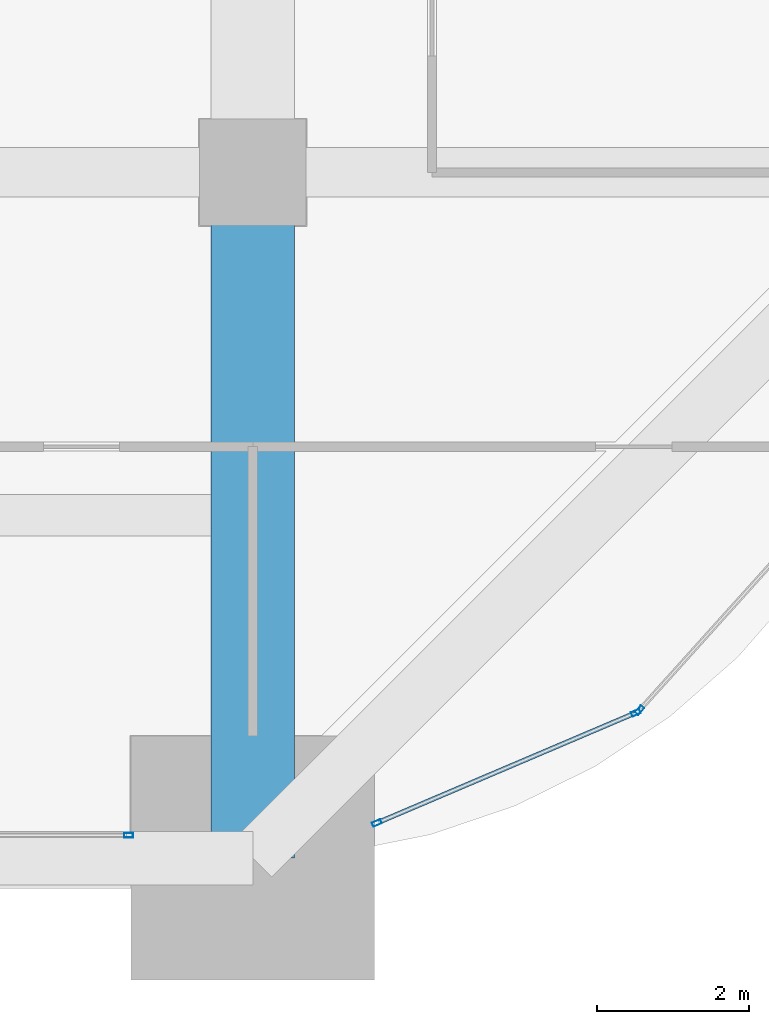
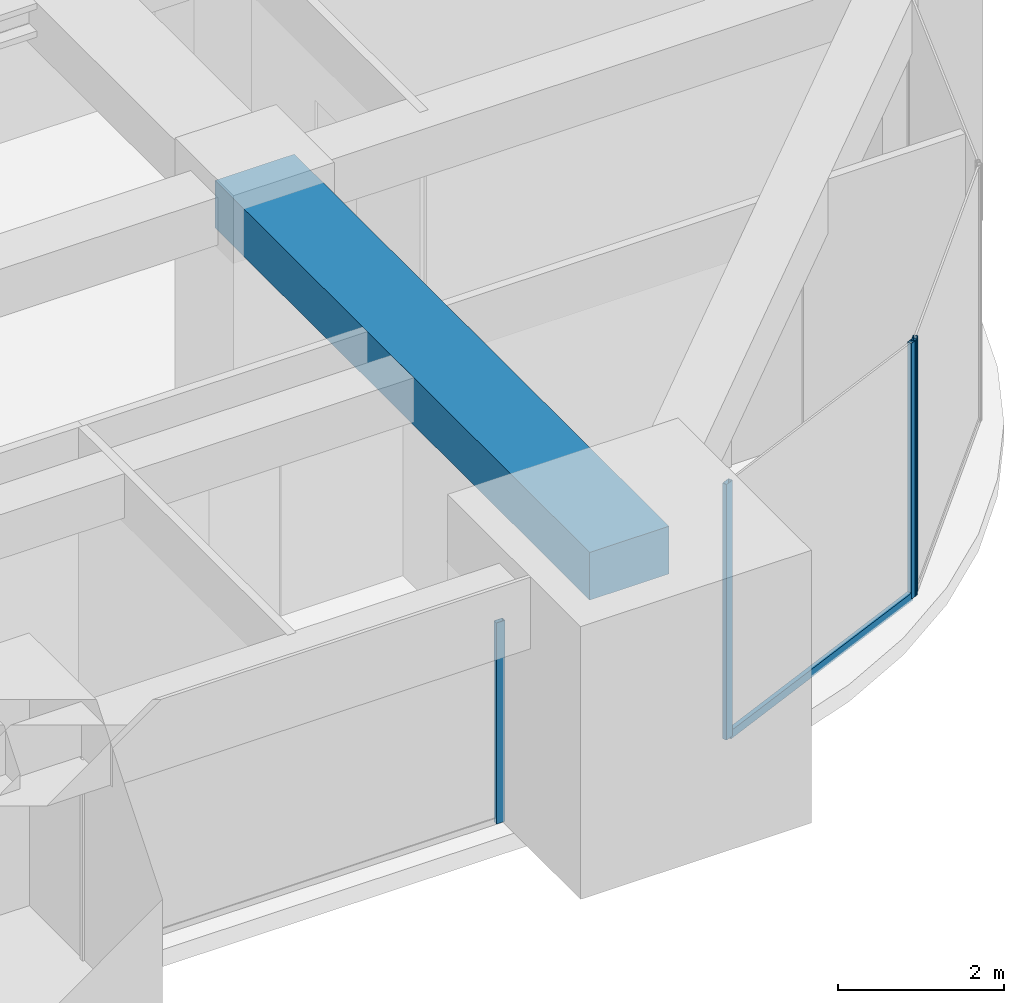
# One storey, part 17 of 43: 5 members, 1 beam, 3 elements without a shape of their own.
"""IFC4 building model written with IfcOpenShell, lengths in metres."""

from ifc_helpers import new_model, si_unit, direction, frame, origin, origin_2d, place, context, subcontext, project, spatial, rectangle, hollow_rectangle, extrude, material, material_profile, profile_set, type_object, element, aggregate, save


model = new_model("IFC4")

# Units and contexts
model_context = context("Model", 3, precision=1e-05, world=origin(), true_north=direction((0.0, 1.0)))
body_context = subcontext(model_context, "Body", "Model", "MODEL_VIEW")
ifc_project = project(units=[si_unit("LENGTHUNIT", "METRE"), si_unit("AREAUNIT", "SQUARE_METRE"), si_unit("VOLUMEUNIT", "CUBIC_METRE"), si_unit("PLANEANGLEUNIT", "RADIAN"), si_unit("MASSUNIT", "GRAM", prefix="KILO")], contexts=[model_context])

# Site, building, storey
site_placement = place(None, origin())
site = spatial("IfcSite", under=ifc_project, at=site_placement, CompositionType="ELEMENT")
building_placement = place(site_placement, origin())
building = spatial("IfcBuilding", under=site, at=building_placement, Name="Zorevar Civic Tower", CompositionType="ELEMENT")
storey_placement = place(building_placement, frame((0.0, 0.0, 243.39990234375)))
storey = spatial("IfcBuildingStorey", under=building, at=storey_placement, Name="L59", CompositionType="ELEMENT", Elevation=243.39990234375)

# Beam
ifc_material_1 = material(Name="Concrete C50/60", Category="concrete")
ifc_material_profile_1 = material_profile(ifc_material_1, rectangle(XDim=1.10009765625, YDim=0.699951171875, at=origin_2d()), Name="RC 1100x700")
ifc_profile_set_1 = profile_set([ifc_material_profile_1], Name="Concrete C50/60")
beam_type = type_object("IfcBeamType", Name="Beam RC 1100x700", PredefinedType="BEAM", material=ifc_profile_set_1)
beam_placement = place(storey_placement, frame((45.0, 0.0, 3.400146484375), z_axis=(0.0, 1.0, 0.0), x_axis=(-1.0, 0.0, 0.0)))
element("IfcBeam", 1, at=beam_placement, inside=storey, type_object=beam_type, Name="Girder L60", PredefinedType="BEAM", context=body_context, shape_type="SweptSolid", body=[
    extrude(rectangle(XDim=1.10009765625, YDim=0.699951171875, at=origin_2d()), origin(), (0.0, 0.0, 1.0), 9.0),
])

# Curtain wall, member
ifc_material_2 = material(Name="Dark grey solar-control glass in black aluminium frame", Category="aluminium")
curtain_wall_type = type_object("IfcCurtainWallType", Name="Curtain wall CW5 top zone", PredefinedType="NOTDEFINED", material=ifc_material_2)
curtain_wall_1_placement = place(storey_placement, origin())
curtain_wall_1 = element("IfcCurtainWall", 2, at=curtain_wall_1_placement, inside=storey, type_object=curtain_wall_type, Name="CW5 L59", PredefinedType="NOTDEFINED")
ifc_material_3 = material(Name="Aluminium, black anodised", Category="aluminium")
ifc_material_profile_2 = material_profile(ifc_material_3, hollow_rectangle(XDim=0.06005859375, YDim=0.1201171875, WallThickness=0.0029296875, at=origin_2d()), Name="AL 120x60x3")
ifc_profile_set_2 = profile_set([ifc_material_profile_2], Name="Aluminium, black anodised")
member_type_1 = type_object("IfcMemberType", Name="CW5 mullion AL 120x60x3", PredefinedType="MULLION", material=ifc_profile_set_2)
member_1_placement = place(storey_placement, frame((43.3701171875, 0.300048828125, 0.0), z_axis=(0.0, 0.0, 1.0), x_axis=(0.0, 1.0, 0.0)))
member_1 = element("IfcMember", 3, at=member_1_placement, type_object=member_type_1, Name="CW5 mullion 2", PredefinedType="MULLION", context=body_context, shape_type="SweptSolid", body=[
    extrude(hollow_rectangle(XDim=0.06005859375, YDim=0.1201171875, WallThickness=0.0029296875, at=origin_2d()), origin(), (0.0, 0.0, 1.0), 2.9501953125),
])
aggregate(curtain_wall_1, [member_1])

# Curtain wall, members
curtain_wall_2_placement = place(storey_placement, origin())
curtain_wall_2 = element("IfcCurtainWall", 4, at=curtain_wall_2_placement, inside=storey, type_object=curtain_wall_type, Name="CW5 L59", PredefinedType="NOTDEFINED")
member_2_placement = place(storey_placement, frame((46.627685546875, 0.460205078125, 0.0), z_axis=(0.0, 0.0, 1.0), x_axis=(-0.391720259226, 0.920084364889, 0.0)))
member_2 = element("IfcMember", 5, at=member_2_placement, type_object=member_type_1, Name="CW5 mullion 1", PredefinedType="MULLION", context=body_context, shape_type="SweptSolid", body=[
    extrude(hollow_rectangle(XDim=0.06005859375, YDim=0.1201171875, WallThickness=0.0029296875, at=origin_2d()), origin(), (0.0, 0.0, 1.0), 3.75),
])
member_3_placement = place(storey_placement, frame((50.02783203125, 1.90771484375, 0.0), z_axis=(0.0, 0.0, 1.0), x_axis=(-0.391720259226, 0.920084364889, 0.0)))
member_3 = element("IfcMember", 6, at=member_3_placement, type_object=member_type_1, Name="CW5 mullion 2", PredefinedType="MULLION", context=body_context, shape_type="SweptSolid", body=[
    extrude(hollow_rectangle(XDim=0.06005859375, YDim=0.1201171875, WallThickness=0.0029296875, at=origin_2d()), origin(), (0.0, 0.0, 1.0), 3.75),
])

# Curtain wall, member
curtain_wall_3_placement = place(storey_placement, origin())
curtain_wall_3 = element("IfcCurtainWall", 7, at=curtain_wall_3_placement, inside=storey, type_object=curtain_wall_type, Name="CW5 L59", PredefinedType="NOTDEFINED")
member_4_placement = place(storey_placement, frame((50.075439453125, 1.94189453125, 0.0), z_axis=(0.0, 0.0, 1.0), x_axis=(-0.743044518169, 0.669241992122, 0.0)))
member_4 = element("IfcMember", 8, at=member_4_placement, type_object=member_type_1, Name="CW5 mullion 1", PredefinedType="MULLION", context=body_context, shape_type="SweptSolid", body=[
    extrude(hollow_rectangle(XDim=0.06005859375, YDim=0.1201171875, WallThickness=0.0029296875, at=origin_2d()), origin(), (0.0, 0.0, 1.0), 3.75),
])
aggregate(curtain_wall_3, [member_4])

# Member
ifc_material_4 = material(Name="Aluminium, black anodised", Category="aluminium")
ifc_material_profile_3 = material_profile(ifc_material_4, hollow_rectangle(XDim=0.06005859375, YDim=0.1201171875, WallThickness=0.0029296875, at=origin_2d()), Name="AL 120x60x3")
ifc_profile_set_3 = profile_set([ifc_material_profile_3], Name="Aluminium, black anodised")
member_type_2 = type_object("IfcMemberType", Name="CW5 transom AL 120x60x3", PredefinedType="USERDEFINED", material=ifc_profile_set_3)
member_5_placement = place(storey_placement, frame((46.6552734375, 0.471923828125, 0.030029296875), z_axis=(0.920087184098, 0.391713637314, 0.0), x_axis=(-0.391713637314, 0.920087184098, 0.0)))
member_5 = element("IfcMember", 9, at=member_5_placement, type_object=member_type_2, Name="CW5 sill transom", ObjectType="TRANSOM", PredefinedType="USERDEFINED", context=body_context, shape_type="SweptSolid", body=[
    extrude(hollow_rectangle(XDim=0.06005859375, YDim=0.1201171875, WallThickness=0.0029296875, at=origin_2d()), origin(), (0.0, 0.0, 1.0), 3.635498046875),
])

aggregate(curtain_wall_2, [member_2, member_3, member_5])

save(model, "model.ifc")
